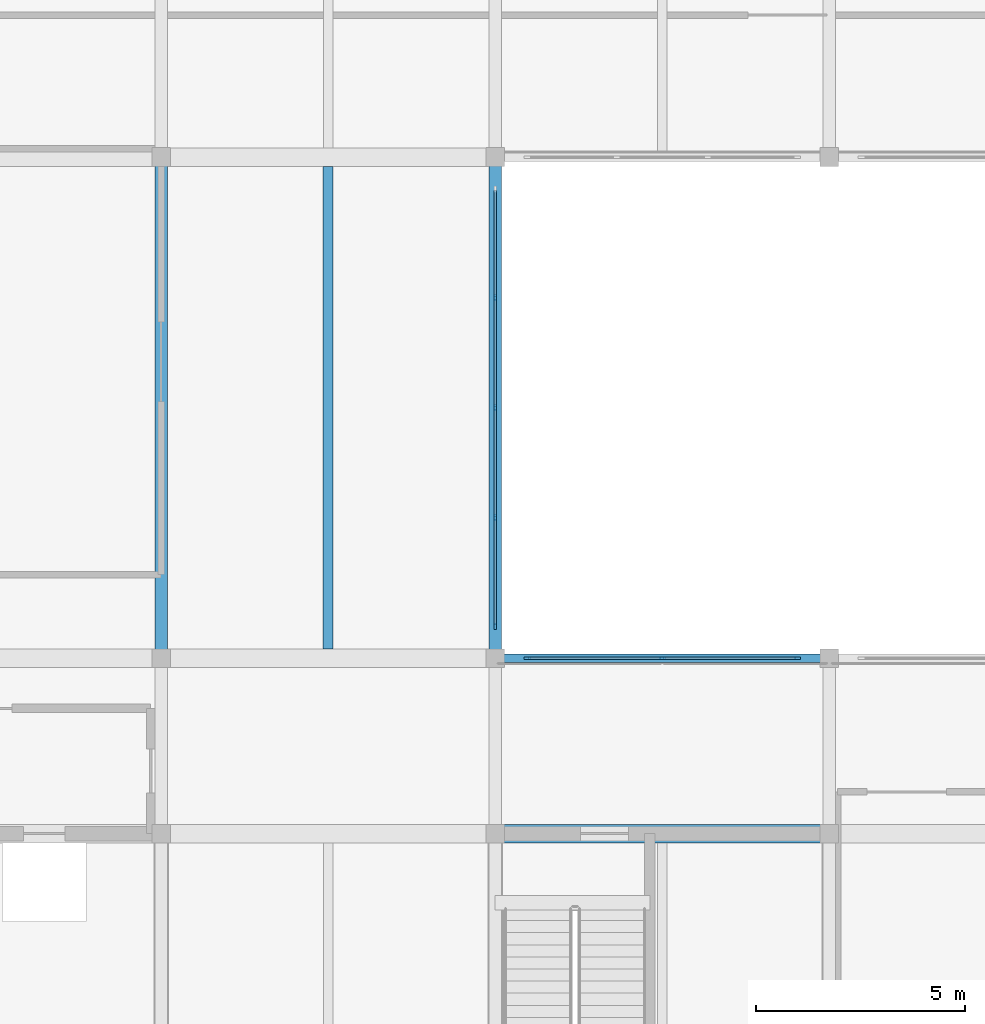
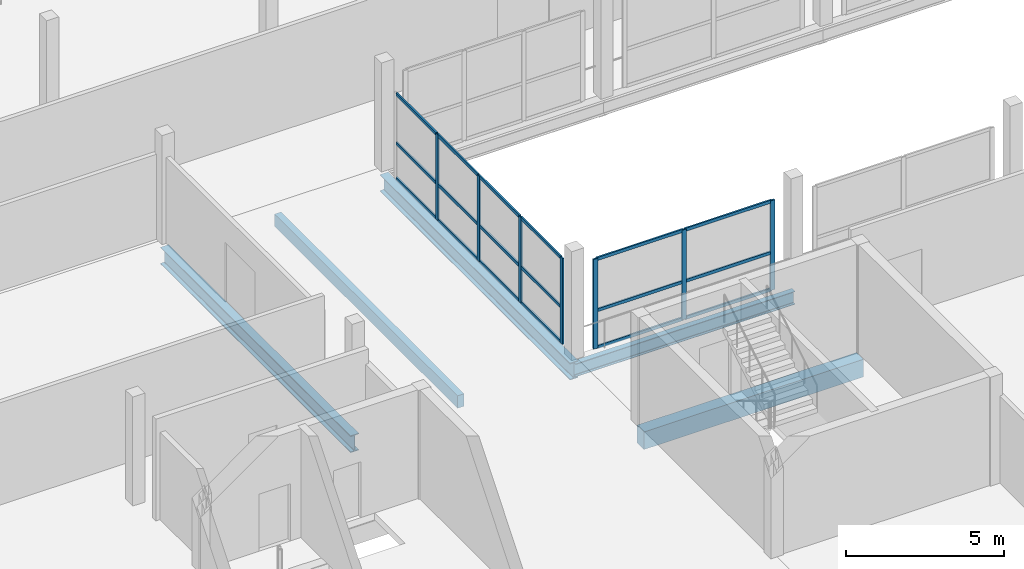
# One storey, part 20 of 53: 25 members, 5 beams, 2 elements without a shape of their own.
"""IFC4 building model written with IfcOpenShell, lengths in metres."""

from ifc_helpers import new_model, si_unit, direction, frame, origin, origin_2d, place, context, subcontext, project, spatial, rectangle, i_section, extrude, material, material_profile, profile_set, type_object, element, aggregate, save


model = new_model("IFC4")

# Units and contexts
model_context = context("Model", 3, precision=1e-05, world=origin(), true_north=direction((0.0, 1.0)))
body_context = subcontext(model_context, "Body", "Model", "MODEL_VIEW")
ifc_project = project(units=[si_unit("LENGTHUNIT", "METRE"), si_unit("AREAUNIT", "SQUARE_METRE"), si_unit("VOLUMEUNIT", "CUBIC_METRE"), si_unit("PLANEANGLEUNIT", "RADIAN"), si_unit("MASSUNIT", "GRAM", prefix="KILO")], contexts=[model_context])

# Site, building, storey
site_placement = place(None, origin())
site = spatial("IfcSite", under=ifc_project, at=site_placement, CompositionType="ELEMENT")
building_placement = place(site_placement, origin())
building = spatial("IfcBuilding", under=site, at=building_placement, Name="Vharandega Faculty of Natural Sciences", CompositionType="ELEMENT")
storey_placement = place(building_placement, frame((0.0, 0.0, 10.199951171875)))
storey = spatial("IfcBuildingStorey", under=building, at=storey_placement, Name="L02", CompositionType="ELEMENT", Elevation=10.199951171875)

# Curtain wall, members
ifc_material_1 = material(Name="Aluminium and solar-control glass curtain wall", Category="aluminium")
curtain_wall_type_1 = type_object("IfcCurtainWallType", Name="Unitised Curtain Wall System CW-07", PredefinedType="NOTDEFINED", material=ifc_material_1)
curtain_wall_1_placement = place(storey_placement, origin())
curtain_wall_1 = element("IfcCurtainWall", 1, at=curtain_wall_1_placement, inside=storey, type_object=curtain_wall_type_1, Name="Curtain Wall CW-L02-062", PredefinedType="NOTDEFINED")
ifc_material_2 = material(Name="Thermally broken aluminium 6063-T6", Category="aluminium")
ifc_material_profile_1 = material_profile(ifc_material_2, rectangle(XDim=0.06005859375, YDim=0.159912109375, at=origin_2d()), Name="ALU 60x160")
ifc_profile_set_1 = profile_set([ifc_material_profile_1], Name="Thermally broken aluminium 6063-T6")
member_type_1 = type_object("IfcMemberType", Name="CW Mullion 60x160", PredefinedType="MULLION", material=ifc_profile_set_1)
member_1_placement = place(storey_placement, frame((24.0, 85.77001953125, 0.0), z_axis=(0.0, 0.0, 1.0), x_axis=(-1.0, 0.0, 0.0)))
member_1 = element("IfcMember", 2, at=member_1_placement, type_object=member_type_1, Name="CW-07 mullion 1", PredefinedType="MULLION", context=body_context, shape_type="SweptSolid", body=[
    extrude(rectangle(XDim=0.06005859375, YDim=0.159912109375, at=origin_2d()), origin(), (0.0, 0.0, 1.0), 3.31005859375),
])
member_2_placement = place(storey_placement, frame((24.0, 88.3701171875, 0.0), z_axis=(0.0, 0.0, 1.0), x_axis=(-1.0, 0.0, 0.0)))
member_2 = element("IfcMember", 3, at=member_2_placement, type_object=member_type_1, Name="CW-07 mullion 2", PredefinedType="MULLION", context=body_context, shape_type="SweptSolid", body=[
    extrude(rectangle(XDim=0.06005859375, YDim=0.159912109375, at=origin_2d()), origin(), (0.0, 0.0, 1.0), 3.31005859375),
])
member_3_placement = place(storey_placement, frame((24.0, 91.0, 0.0), z_axis=(0.0, 0.0, 1.0), x_axis=(-1.0, 0.0, 0.0)))
member_3 = element("IfcMember", 4, at=member_3_placement, type_object=member_type_1, Name="CW-07 mullion 3", PredefinedType="MULLION", context=body_context, shape_type="SweptSolid", body=[
    extrude(rectangle(XDim=0.06005859375, YDim=0.159912109375, at=origin_2d()), origin(), (0.0, 0.0, 1.0), 3.31005859375),
])
member_4_placement = place(storey_placement, frame((24.0, 93.6298828125, 0.0), z_axis=(0.0, 0.0, 1.0), x_axis=(-1.0, 0.0, 0.0)))
member_4 = element("IfcMember", 5, at=member_4_placement, type_object=member_type_1, Name="CW-07 mullion 4", PredefinedType="MULLION", context=body_context, shape_type="SweptSolid", body=[
    extrude(rectangle(XDim=0.06005859375, YDim=0.159912109375, at=origin_2d()), origin(), (0.0, 0.0, 1.0), 3.31005859375),
])

ifc_material_3 = material(Name="Aluminium and solar-control glass curtain wall", Category="aluminium")
curtain_wall_type_2 = type_object("IfcCurtainWallType", Name="Unitised Curtain Wall System CW-03", PredefinedType="NOTDEFINED", material=ifc_material_3)
curtain_wall_2_placement = place(storey_placement, origin())
curtain_wall_2 = element("IfcCurtainWall", 6, at=curtain_wall_2_placement, inside=storey, type_object=curtain_wall_type_2, Name="Curtain Wall CW-L02-086", PredefinedType="NOTDEFINED")
member_5_placement = place(storey_placement, frame((24.77001953125, 85.0, 0.0), z_axis=(0.0, 0.0, 1.0), x_axis=(0.0, 1.0, 0.0)))
member_5 = element("IfcMember", 7, at=member_5_placement, type_object=member_type_1, Name="CW-03 mullion 1", PredefinedType="MULLION", context=body_context, shape_type="SweptSolid", body=[
    extrude(rectangle(XDim=0.06005859375, YDim=0.159912109375, at=origin_2d()), origin(), (0.0, 0.0, 1.0), 3.4599609375),
])
member_6_placement = place(storey_placement, frame((28.0, 85.0, 0.0), z_axis=(0.0, 0.0, 1.0), x_axis=(0.0, 1.0, 0.0)))
member_6 = element("IfcMember", 8, at=member_6_placement, type_object=member_type_1, Name="CW-03 mullion 2", PredefinedType="MULLION", context=body_context, shape_type="SweptSolid", body=[
    extrude(rectangle(XDim=0.06005859375, YDim=0.159912109375, at=origin_2d()), origin(), (0.0, 0.0, 1.0), 3.4599609375),
])
member_7_placement = place(storey_placement, frame((31.22998046875, 85.0, 0.0), z_axis=(0.0, 0.0, 1.0), x_axis=(0.0, 1.0, 0.0)))
member_7 = element("IfcMember", 9, at=member_7_placement, type_object=member_type_1, Name="CW-03 mullion 3", PredefinedType="MULLION", context=body_context, shape_type="SweptSolid", body=[
    extrude(rectangle(XDim=0.06005859375, YDim=0.159912109375, at=origin_2d()), origin(), (0.0, 0.0, 1.0), 3.4599609375),
])

# Member
ifc_material_4 = material(Name="Thermally broken aluminium 6063-T6", Category="aluminium")
ifc_material_profile_2 = material_profile(ifc_material_4, rectangle(XDim=0.06005859375, YDim=0.1201171875, at=origin_2d()), Name="ALU 60x120")
ifc_profile_set_2 = profile_set([ifc_material_profile_2], Name="Thermally broken aluminium 6063-T6")
member_type_2 = type_object("IfcMemberType", Name="CW Transom 60x120", PredefinedType="USERDEFINED", material=ifc_profile_set_2)
member_8_placement = place(storey_placement, frame((24.0, 85.800048828125, 0.030029296875), z_axis=(0.0, 1.0, 0.0), x_axis=(-1.0, 0.0, 0.0)))
member_8 = element("IfcMember", 10, at=member_8_placement, type_object=member_type_2, Name="CW-07 transom 1.1", ObjectType="TRANSOM", PredefinedType="USERDEFINED", context=body_context, shape_type="SweptSolid", body=[
    extrude(rectangle(XDim=0.06005859375, YDim=0.1201171875, at=origin_2d()), origin(), (0.0, 0.0, 1.0), 2.5400390625),
])

member_9_placement = place(storey_placement, frame((24.0, 85.800048828125, 1.39013671875), z_axis=(0.0, 1.0, 0.0), x_axis=(-1.0, 0.0, 0.0)))
member_9 = element("IfcMember", 11, at=member_9_placement, type_object=member_type_2, Name="CW-07 transom 1.2", ObjectType="TRANSOM", PredefinedType="USERDEFINED", context=body_context, shape_type="SweptSolid", body=[
    extrude(rectangle(XDim=0.06005859375, YDim=0.1201171875, at=origin_2d()), origin(), (0.0, 0.0, 1.0), 2.5400390625),
])

member_10_placement = place(storey_placement, frame((24.0, 85.800048828125, 3.280029296875), z_axis=(0.0, 1.0, 0.0), x_axis=(-1.0, 0.0, 0.0)))
member_10 = element("IfcMember", 12, at=member_10_placement, type_object=member_type_2, Name="CW-07 transom 1.3", ObjectType="TRANSOM", PredefinedType="USERDEFINED", context=body_context, shape_type="SweptSolid", body=[
    extrude(rectangle(XDim=0.06005859375, YDim=0.1201171875, at=origin_2d()), origin(), (0.0, 0.0, 1.0), 2.5400390625),
])

member_11_placement = place(storey_placement, frame((24.0, 88.39990234375, 0.030029296875), z_axis=(0.0, 1.0, 0.0), x_axis=(-1.0, 0.0, 0.0)))
member_11 = element("IfcMember", 13, at=member_11_placement, type_object=member_type_2, Name="CW-07 transom 2.1", ObjectType="TRANSOM", PredefinedType="USERDEFINED", context=body_context, shape_type="SweptSolid", body=[
    extrude(rectangle(XDim=0.06005859375, YDim=0.1201171875, at=origin_2d()), origin(), (0.0, 0.0, 1.0), 2.570068359375),
])

member_12_placement = place(storey_placement, frame((24.0, 88.39990234375, 1.39013671875), z_axis=(0.0, 1.0, 0.0), x_axis=(-1.0, 0.0, 0.0)))
member_12 = element("IfcMember", 14, at=member_12_placement, type_object=member_type_2, Name="CW-07 transom 2.2", ObjectType="TRANSOM", PredefinedType="USERDEFINED", context=body_context, shape_type="SweptSolid", body=[
    extrude(rectangle(XDim=0.06005859375, YDim=0.1201171875, at=origin_2d()), origin(), (0.0, 0.0, 1.0), 2.570068359375),
])

member_13_placement = place(storey_placement, frame((24.0, 88.39990234375, 3.280029296875), z_axis=(0.0, 1.0, 0.0), x_axis=(-1.0, 0.0, 0.0)))
member_13 = element("IfcMember", 15, at=member_13_placement, type_object=member_type_2, Name="CW-07 transom 2.3", ObjectType="TRANSOM", PredefinedType="USERDEFINED", context=body_context, shape_type="SweptSolid", body=[
    extrude(rectangle(XDim=0.06005859375, YDim=0.1201171875, at=origin_2d()), origin(), (0.0, 0.0, 1.0), 2.570068359375),
])

member_14_placement = place(storey_placement, frame((24.0, 91.030029296875, 0.030029296875), z_axis=(0.0, 1.0, 0.0), x_axis=(-1.0, 0.0, 0.0)))
member_14 = element("IfcMember", 16, at=member_14_placement, type_object=member_type_2, Name="CW-07 transom 3.1", ObjectType="TRANSOM", PredefinedType="USERDEFINED", context=body_context, shape_type="SweptSolid", body=[
    extrude(rectangle(XDim=0.06005859375, YDim=0.1201171875, at=origin_2d()), origin(), (0.0, 0.0, 1.0), 2.570068359375),
])

member_15_placement = place(storey_placement, frame((24.0, 91.030029296875, 1.39013671875), z_axis=(0.0, 1.0, 0.0), x_axis=(-1.0, 0.0, 0.0)))
member_15 = element("IfcMember", 17, at=member_15_placement, type_object=member_type_2, Name="CW-07 transom 3.2", ObjectType="TRANSOM", PredefinedType="USERDEFINED", context=body_context, shape_type="SweptSolid", body=[
    extrude(rectangle(XDim=0.06005859375, YDim=0.1201171875, at=origin_2d()), origin(), (0.0, 0.0, 1.0), 2.570068359375),
])

member_16_placement = place(storey_placement, frame((24.0, 91.030029296875, 3.280029296875), z_axis=(0.0, 1.0, 0.0), x_axis=(-1.0, 0.0, 0.0)))
member_16 = element("IfcMember", 18, at=member_16_placement, type_object=member_type_2, Name="CW-07 transom 3.3", ObjectType="TRANSOM", PredefinedType="USERDEFINED", context=body_context, shape_type="SweptSolid", body=[
    extrude(rectangle(XDim=0.06005859375, YDim=0.1201171875, at=origin_2d()), origin(), (0.0, 0.0, 1.0), 2.570068359375),
])

member_17_placement = place(storey_placement, frame((24.0, 93.659912109375, 0.030029296875), z_axis=(0.0, 1.0, 0.0), x_axis=(-1.0, 0.0, 0.0)))
member_17 = element("IfcMember", 19, at=member_17_placement, type_object=member_type_2, Name="CW-07 transom 4.1", ObjectType="TRANSOM", PredefinedType="USERDEFINED", context=body_context, shape_type="SweptSolid", body=[
    extrude(rectangle(XDim=0.06005859375, YDim=0.1201171875, at=origin_2d()), origin(), (0.0, 0.0, 1.0), 2.5400390625),
])

member_18_placement = place(storey_placement, frame((24.0, 93.659912109375, 1.39013671875), z_axis=(0.0, 1.0, 0.0), x_axis=(-1.0, 0.0, 0.0)))
member_18 = element("IfcMember", 20, at=member_18_placement, type_object=member_type_2, Name="CW-07 transom 4.2", ObjectType="TRANSOM", PredefinedType="USERDEFINED", context=body_context, shape_type="SweptSolid", body=[
    extrude(rectangle(XDim=0.06005859375, YDim=0.1201171875, at=origin_2d()), origin(), (0.0, 0.0, 1.0), 2.5400390625),
])

member_19_placement = place(storey_placement, frame((24.0, 93.659912109375, 3.280029296875), z_axis=(0.0, 1.0, 0.0), x_axis=(-1.0, 0.0, 0.0)))
member_19 = element("IfcMember", 21, at=member_19_placement, type_object=member_type_2, Name="CW-07 transom 4.3", ObjectType="TRANSOM", PredefinedType="USERDEFINED", context=body_context, shape_type="SweptSolid", body=[
    extrude(rectangle(XDim=0.06005859375, YDim=0.1201171875, at=origin_2d()), origin(), (0.0, 0.0, 1.0), 2.5400390625),
])

aggregate(curtain_wall_1, [member_1, member_2, member_3, member_4, member_8, member_9, member_10, member_11, member_12, member_13, member_14, member_15, member_16, member_17, member_18, member_19])

member_20_placement = place(storey_placement, frame((24.800048828125, 85.0, 0.030029296875), z_axis=(1.0, 0.0, 0.0), x_axis=(0.0, 1.0, 0.0)))
member_20 = element("IfcMember", 22, at=member_20_placement, type_object=member_type_2, Name="CW-03 transom 1.1", ObjectType="TRANSOM", PredefinedType="USERDEFINED", context=body_context, shape_type="SweptSolid", body=[
    extrude(rectangle(XDim=0.06005859375, YDim=0.1201171875, at=origin_2d()), origin(), (0.0, 0.0, 1.0), 3.169921875),
])

member_21_placement = place(storey_placement, frame((24.800048828125, 85.0, 1.453369140625), z_axis=(1.0, 0.0, 0.0), x_axis=(0.0, 1.0, 0.0)))
member_21 = element("IfcMember", 23, at=member_21_placement, type_object=member_type_2, Name="CW-03 transom 1.2", ObjectType="TRANSOM", PredefinedType="USERDEFINED", context=body_context, shape_type="SweptSolid", body=[
    extrude(rectangle(XDim=0.06005859375, YDim=0.1201171875, at=origin_2d()), origin(), (0.0, 0.0, 1.0), 3.169921875),
])

member_22_placement = place(storey_placement, frame((24.800048828125, 85.0, 3.429931640625), z_axis=(1.0, 0.0, 0.0), x_axis=(0.0, 1.0, 0.0)))
member_22 = element("IfcMember", 24, at=member_22_placement, type_object=member_type_2, Name="CW-03 transom 1.3", ObjectType="TRANSOM", PredefinedType="USERDEFINED", context=body_context, shape_type="SweptSolid", body=[
    extrude(rectangle(XDim=0.06005859375, YDim=0.1201171875, at=origin_2d()), origin(), (0.0, 0.0, 1.0), 3.169921875),
])

member_23_placement = place(storey_placement, frame((28.030029296875, 85.0, 0.030029296875), z_axis=(1.0, 0.0, 0.0), x_axis=(0.0, 1.0, 0.0)))
member_23 = element("IfcMember", 25, at=member_23_placement, type_object=member_type_2, Name="CW-03 transom 2.1", ObjectType="TRANSOM", PredefinedType="USERDEFINED", context=body_context, shape_type="SweptSolid", body=[
    extrude(rectangle(XDim=0.06005859375, YDim=0.1201171875, at=origin_2d()), origin(), (0.0, 0.0, 1.0), 3.169921875),
])

member_24_placement = place(storey_placement, frame((28.030029296875, 85.0, 1.453369140625), z_axis=(1.0, 0.0, 0.0), x_axis=(0.0, 1.0, 0.0)))
member_24 = element("IfcMember", 26, at=member_24_placement, type_object=member_type_2, Name="CW-03 transom 2.2", ObjectType="TRANSOM", PredefinedType="USERDEFINED", context=body_context, shape_type="SweptSolid", body=[
    extrude(rectangle(XDim=0.06005859375, YDim=0.1201171875, at=origin_2d()), origin(), (0.0, 0.0, 1.0), 3.169921875),
])

member_25_placement = place(storey_placement, frame((28.030029296875, 85.0, 3.429931640625), z_axis=(1.0, 0.0, 0.0), x_axis=(0.0, 1.0, 0.0)))
member_25 = element("IfcMember", 27, at=member_25_placement, type_object=member_type_2, Name="CW-03 transom 2.3", ObjectType="TRANSOM", PredefinedType="USERDEFINED", context=body_context, shape_type="SweptSolid", body=[
    extrude(rectangle(XDim=0.06005859375, YDim=0.1201171875, at=origin_2d()), origin(), (0.0, 0.0, 1.0), 3.169921875),
])

aggregate(curtain_wall_2, [member_5, member_6, member_7, member_20, member_21, member_22, member_23, member_24, member_25])

# Beams
ifc_material_5 = material(Name="Glulam GL32h", Category="wood")
ifc_material_profile_3 = material_profile(ifc_material_5, rectangle(XDim=0.43994140625, YDim=0.679931640625, at=origin_2d()), Name="GL32h 440x680")
ifc_profile_set_3 = profile_set([ifc_material_profile_3], Name="Glulam GL32h")
beam_type_1 = type_object("IfcBeamType", Name="Glulam Girder 440x680", PredefinedType="BEAM", material=ifc_profile_set_3)
beam_1_placement = place(storey_placement, frame((24.0, 80.800048828125, -0.619873046875), z_axis=(1.0, 0.0, 0.0), x_axis=(0.0, 1.0, 0.0)))
element("IfcBeam", 28, at=beam_1_placement, inside=storey, type_object=beam_type_1, Name="Beam L02 L/4-5", PredefinedType="BEAM", context=body_context, shape_type="SweptSolid", body=[
    extrude(rectangle(XDim=0.43994140625, YDim=0.679931640625, at=origin_2d()), origin(), (0.0, 0.0, 1.0), 8.0),
])
ifc_material_6 = material(Name="Glulam GL28h", Category="wood")
ifc_material_profile_4 = material_profile(ifc_material_6, rectangle(XDim=0.239990234375, YDim=0.47998046875, at=origin_2d()), Name="GL28h 240x480")
ifc_profile_set_4 = profile_set([ifc_material_profile_4], Name="Glulam GL28h")
beam_type_2 = type_object("IfcBeamType", Name="Glulam Secondary Joist 240x480", PredefinedType="JOIST", material=ifc_profile_set_4)
beam_2_placement = place(storey_placement, frame((20.0, 85.219970703125, -0.5), z_axis=(0.0, 1.0, 0.0), x_axis=(-1.0, 0.0, 0.0)))
element("IfcBeam", 29, at=beam_2_placement, inside=storey, type_object=beam_type_2, Name="Secondary Joist L02 3-4/M-N", PredefinedType="JOIST", context=body_context, shape_type="SweptSolid", body=[
    extrude(rectangle(XDim=0.239990234375, YDim=0.47998046875, at=origin_2d()), origin(), (0.0, 0.0, 1.0), 11.56005859375),
])
ifc_material_7 = material(Name="Steel S355", Category="steel")
ifc_material_profile_5 = material_profile(ifc_material_7, i_section(OverallWidth=0.300048828125, OverallDepth=0.64990234375, WebThickness=0.01611328125, FlangeThickness=0.031005859375, FilletRadius=0.027099609375, at=origin_2d()), Name="HEB 650")
ifc_profile_set_5 = profile_set([ifc_material_profile_5], Name="Steel S355")
beam_type_3 = type_object("IfcBeamType", Name="Steel Collector Beam HEB 650", PredefinedType="BEAM", material=ifc_profile_set_5)
for number, where, z_axis, x_axis, name in (
    (30, (16.0, 85.0, -0.5849609375), (0.0, 1.0, 0.0), (-1.0, 0.0, 0.0), "Beam L02 3/M-N"),
    (31, (24.0, 85.0, -0.5849609375), (0.0, 1.0, 0.0), (-1.0, 0.0, 0.0), "Beam L02 4/M-N"),
):
    element("IfcBeam", number, at=place(storey_placement, frame(where, z_axis=z_axis, x_axis=x_axis)), inside=storey, type_object=beam_type_3, Name=name, PredefinedType="BEAM", context=body_context, shape_type="SweptSolid", body=[
        extrude(i_section(OverallWidth=0.300048828125, OverallDepth=0.64990234375, WebThickness=0.01611328125, FlangeThickness=0.031005859375, FilletRadius=0.027099609375, at=origin_2d()), origin(), (0.0, 0.0, 1.0), 12.0),
    ])
ifc_material_8 = material(Name="Steel S355", Category="steel")
ifc_material_profile_6 = material_profile(ifc_material_8, i_section(OverallWidth=0.199951171875, OverallDepth=0.5, WebThickness=0.01025390625, FlangeThickness=0.01611328125, FilletRadius=0.02099609375, at=origin_2d()), Name="IPE 500")
ifc_profile_set_6 = profile_set([ifc_material_profile_6], Name="Steel S355")
beam_type_4 = type_object("IfcBeamType", Name="Steel Spandrel Beam IPE 500", PredefinedType="SPANDREL", material=ifc_profile_set_6)
beam_3_placement = place(storey_placement, frame((24.0, 85.0, -0.530029296875), z_axis=(1.0, 0.0, 0.0), x_axis=(0.0, 1.0, 0.0)))
element("IfcBeam", 32, at=beam_3_placement, inside=storey, type_object=beam_type_4, Name="Beam L02 M/4-5", PredefinedType="SPANDREL", context=body_context, shape_type="SweptSolid", body=[
    extrude(i_section(OverallWidth=0.199951171875, OverallDepth=0.5, WebThickness=0.01025390625, FlangeThickness=0.01611328125, FilletRadius=0.02099609375, at=origin_2d()), origin(), (0.0, 0.0, 1.0), 8.0),
])

save(model, "model.ifc")
